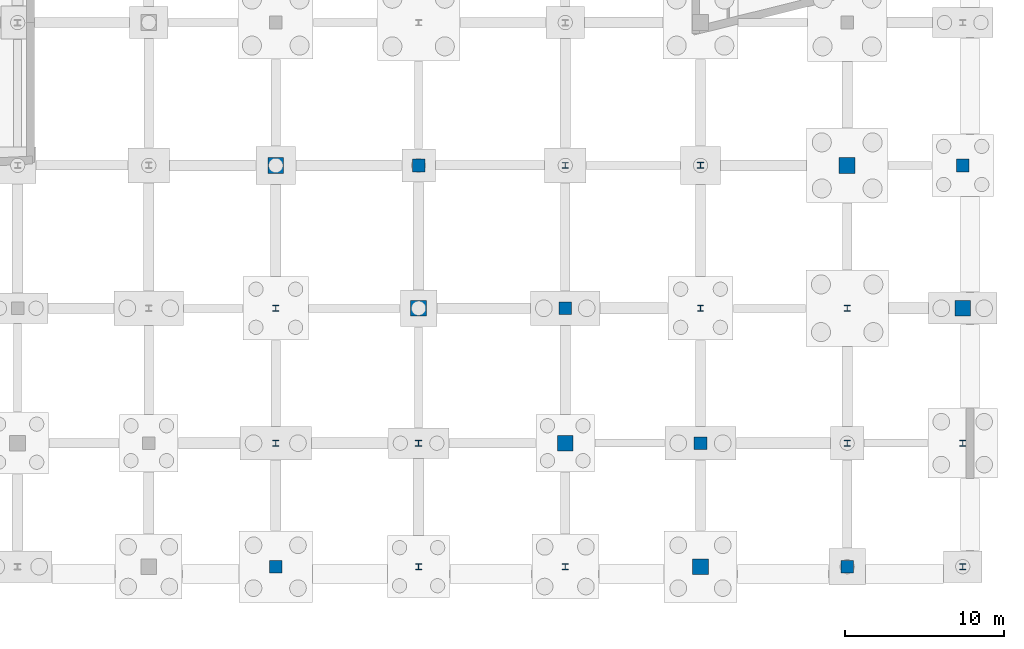
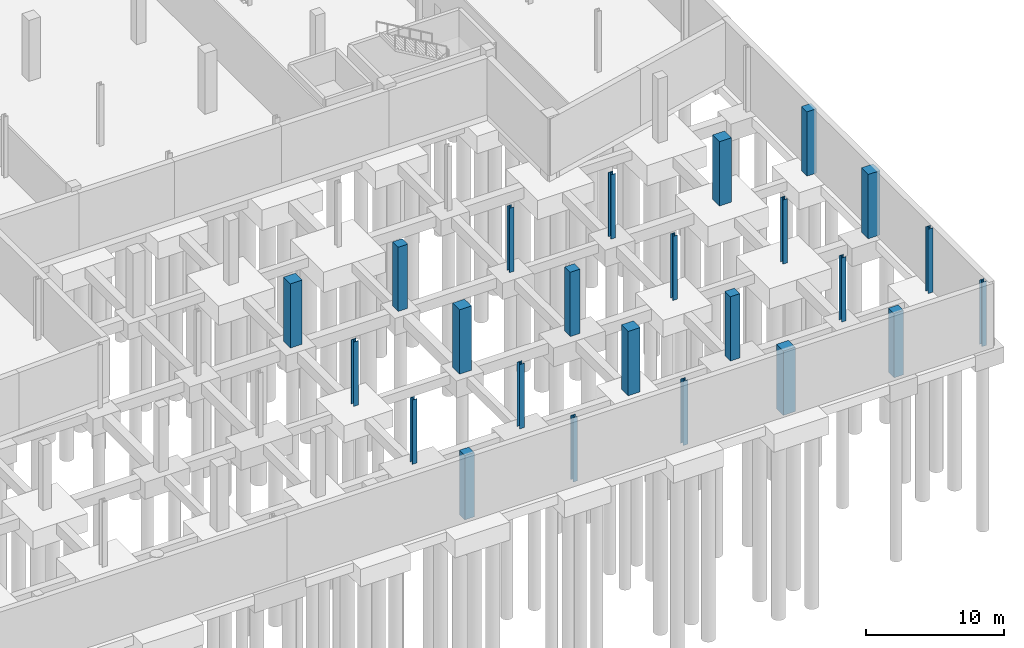
# One storey, part 31 of 60: 24 columns.
"""IFC4 building model written with IfcOpenShell, lengths in metres."""

from ifc_helpers import new_model, si_unit, direction, frame, origin, origin_2d, place, context, subcontext, project, spatial, rectangle, i_section, extrude, material, material_profile, profile_set, type_object, element, save


model = new_model("IFC4")

# Units and contexts
model_context = context("Model", 3, precision=1e-05, world=origin(), true_north=direction((0.0, 1.0)))
body_context = subcontext(model_context, "Body", "Model", "MODEL_VIEW")
ifc_project = project(units=[si_unit("LENGTHUNIT", "METRE"), si_unit("AREAUNIT", "SQUARE_METRE"), si_unit("VOLUMEUNIT", "CUBIC_METRE"), si_unit("PLANEANGLEUNIT", "RADIAN"), si_unit("MASSUNIT", "GRAM", prefix="KILO")], contexts=[model_context])

# Site, building, storey
site_placement = place(None, origin())
site = spatial("IfcSite", under=ifc_project, at=site_placement, CompositionType="ELEMENT")
building_placement = place(site_placement, origin())
building = spatial("IfcBuilding", under=site, at=building_placement, Name="Trimount Lyric Opera House", CompositionType="ELEMENT")
storey_placement = place(building_placement, frame((0.0, 0.0, -5.39990234375)))
storey = spatial("IfcBuildingStorey", under=building, at=storey_placement, Name="B1", CompositionType="ELEMENT", Elevation=-5.39990234375)

# Columns
ifc_material_1 = material(Name="Steel ASTM A992 Grade 50", Category="steel")
ifc_material_profile_1 = material_profile(ifc_material_1, i_section(OverallWidth=0.39892578125, OverallDepth=0.385986328125, WebThickness=0.02099609375, FlangeThickness=0.033203125, FilletRadius=0.01611328125, at=origin_2d()), Name="W14X176")
ifc_profile_set_1 = profile_set([ifc_material_profile_1], Name="Steel ASTM A992 Grade 50")
column_type_1 = type_object("IfcColumnType", Name="C-03", PredefinedType="COLUMN", material=ifc_profile_set_1)
for number, where, z_axis, x_axis, name in (
    (1, (130.0, 17.0, -0.60009765625), (0.0, 0.0, 1.0), (1.0, 0.0, 0.0), "B1 column 15/C"),
    (2, (139.0, 8.5, -0.60009765625), (0.0, 0.0, 1.0), (1.0, 0.0, 0.0), "B1 column 16/B"),
    (3, (148.239990234375, 0.719970703125, -0.60009765625), (0.0, 0.0, 1.0), (1.0, 0.0, 0.0), "B1 column 17/A"),
    (4, (156.760009765625, 26.0, -0.60009765625), (0.0, 0.0, 1.0), (1.0, 0.0, 0.0), "B1 column 18/D"),
    (5, (166.0, 17.0, -0.60009765625), (0.0, 0.0, 1.0), (1.0, 0.0, 0.0), "B1 column 19/C"),
    (6, (173.280029296875, 8.5, -0.60009765625), (0.0, 0.0, 1.0), (1.0, 0.0, 0.0), "B1 column 20/B"),
):
    element("IfcColumn", number, at=place(storey_placement, frame(where, z_axis=z_axis, x_axis=x_axis)), inside=storey, type_object=column_type_1, Name=name, PredefinedType="COLUMN", context=body_context, shape_type="SweptSolid", body=[
        extrude(i_section(OverallWidth=0.39892578125, OverallDepth=0.385986328125, WebThickness=0.02099609375, FlangeThickness=0.033203125, FilletRadius=0.01611328125, at=origin_2d()), origin(), (0.0, 0.0, 1.0), 5.699951171875),
    ])
ifc_material_2 = material(Name="Steel ASTM A992 Grade 50", Category="steel")
ifc_material_profile_2 = material_profile(ifc_material_2, i_section(OverallWidth=0.373046875, OverallDepth=0.367919921875, WebThickness=0.014892578125, FlangeThickness=0.02392578125, FilletRadius=0.014892578125, at=origin_2d()), Name="W14X120")
ifc_profile_set_2 = profile_set([ifc_material_profile_2], Name="Steel ASTM A992 Grade 50")
column_type_2 = type_object("IfcColumnType", Name="C-08", PredefinedType="COLUMN", material=ifc_profile_set_2)
for number, where, z_axis, x_axis, name in (
    (7, (130.0, 8.5, -0.60009765625), (0.0, 0.0, 1.0), (1.0, 0.0, 0.0), "B1 column 15/B"),
    (8, (139.0, 0.719970703125, -0.60009765625), (0.0, 0.0, 1.0), (1.0, 0.0, 0.0), "B1 column 16/A"),
    (9, (148.239990234375, 26.0, -0.60009765625), (0.0, 0.0, 1.0), (1.0, 0.0, 0.0), "B1 column 17/D"),
    (10, (156.760009765625, 17.0, -0.60009765625), (0.0, 0.0, 1.0), (1.0, 0.0, 0.0), "B1 column 18/C"),
    (11, (166.0, 8.5, -0.60009765625), (0.0, 0.0, 1.0), (1.0, 0.0, 0.0), "B1 column 19/B"),
    (12, (173.280029296875, 0.719970703125, -0.60009765625), (0.0, 0.0, 1.0), (1.0, 0.0, 0.0), "B1 column 20/A"),
):
    element("IfcColumn", number, at=place(storey_placement, frame(where, z_axis=z_axis, x_axis=x_axis)), inside=storey, type_object=column_type_2, Name=name, PredefinedType="COLUMN", context=body_context, shape_type="SweptSolid", body=[
        extrude(i_section(OverallWidth=0.373046875, OverallDepth=0.367919921875, WebThickness=0.014892578125, FlangeThickness=0.02392578125, FilletRadius=0.014892578125, at=origin_2d()), origin(), (0.0, 0.0, 1.0), 5.699951171875),
    ])
ifc_material_3 = material(Name="Concrete C50/60", Category="concrete")
ifc_material_profile_3 = material_profile(ifc_material_3, rectangle(XDim=1.0, YDim=1.0, at=origin_2d()), Name="RC1000X1000")
ifc_profile_set_3 = profile_set([ifc_material_profile_3], Name="Concrete C50/60")
column_type_3 = type_object("IfcColumnType", Name="C-12", PredefinedType="COLUMN", material=ifc_profile_set_3)
for number, where, z_axis, x_axis, name in (
    (13, (130.0, 26.0, -0.60009765625), (0.0, 0.0, 1.0), (1.0, 0.0, 0.0), "B1 column 15/D"),
    (14, (139.0, 17.0, -0.60009765625), (0.0, 0.0, 1.0), (1.0, 0.0, 0.0), "B1 column 16/C"),
    (15, (148.239990234375, 8.5, -0.60009765625), (0.0, 0.0, 1.0), (1.0, 0.0, 0.0), "B1 column 17/B"),
    (16, (156.760009765625, 0.719970703125, -0.60009765625), (0.0, 0.0, 1.0), (1.0, 0.0, 0.0), "B1 column 18/A"),
    (17, (166.0, 26.0, -0.60009765625), (0.0, 0.0, 1.0), (1.0, 0.0, 0.0), "B1 column 19/D"),
    (18, (173.280029296875, 17.0, -0.60009765625), (0.0, 0.0, 1.0), (1.0, 0.0, 0.0), "B1 column 20/C"),
):
    element("IfcColumn", number, at=place(storey_placement, frame(where, z_axis=z_axis, x_axis=x_axis)), inside=storey, type_object=column_type_3, Name=name, PredefinedType="COLUMN", context=body_context, shape_type="SweptSolid", body=[
        extrude(rectangle(XDim=1.0, YDim=1.0, at=origin_2d()), origin(), (0.0, 0.0, 1.0), 5.699951171875),
    ])
ifc_material_4 = material(Name="Concrete C40/50", Category="concrete")
ifc_material_profile_4 = material_profile(ifc_material_4, rectangle(XDim=0.800048828125, YDim=0.800048828125, at=origin_2d()), Name="RC800X800")
ifc_profile_set_4 = profile_set([ifc_material_profile_4], Name="Concrete C40/50")
column_type_4 = type_object("IfcColumnType", Name="C-14", PredefinedType="COLUMN", material=ifc_profile_set_4)
for number, where, z_axis, x_axis, name in (
    (19, (130.0, 0.719970703125, -0.60009765625), (0.0, 0.0, 1.0), (1.0, 0.0, 0.0), "B1 column 15/A"),
    (20, (139.0, 26.0, -0.60009765625), (0.0, 0.0, 1.0), (1.0, 0.0, 0.0), "B1 column 16/D"),
    (21, (148.239990234375, 17.0, -0.60009765625), (0.0, 0.0, 1.0), (1.0, 0.0, 0.0), "B1 column 17/C"),
    (22, (156.760009765625, 8.5, -0.60009765625), (0.0, 0.0, 1.0), (1.0, 0.0, 0.0), "B1 column 18/B"),
    (23, (166.0, 0.719970703125, -0.60009765625), (0.0, 0.0, 1.0), (1.0, 0.0, 0.0), "B1 column 19/A"),
    (24, (173.280029296875, 26.0, -0.60009765625), (0.0, 0.0, 1.0), (1.0, 0.0, 0.0), "B1 column 20/D"),
):
    element("IfcColumn", number, at=place(storey_placement, frame(where, z_axis=z_axis, x_axis=x_axis)), inside=storey, type_object=column_type_4, Name=name, PredefinedType="COLUMN", context=body_context, shape_type="SweptSolid", body=[
        extrude(rectangle(XDim=0.800048828125, YDim=0.800048828125, at=origin_2d()), origin(), (0.0, 0.0, 1.0), 5.699951171875),
    ])

save(model, "model.ifc")
